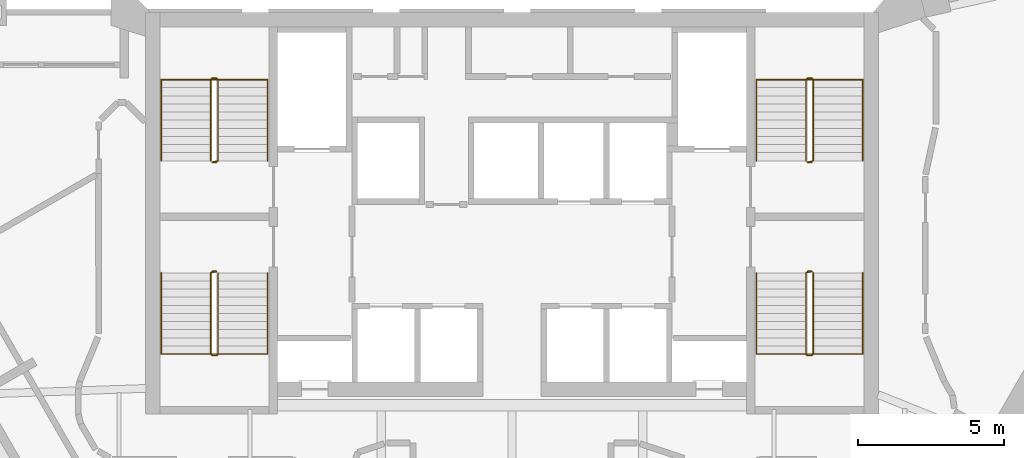
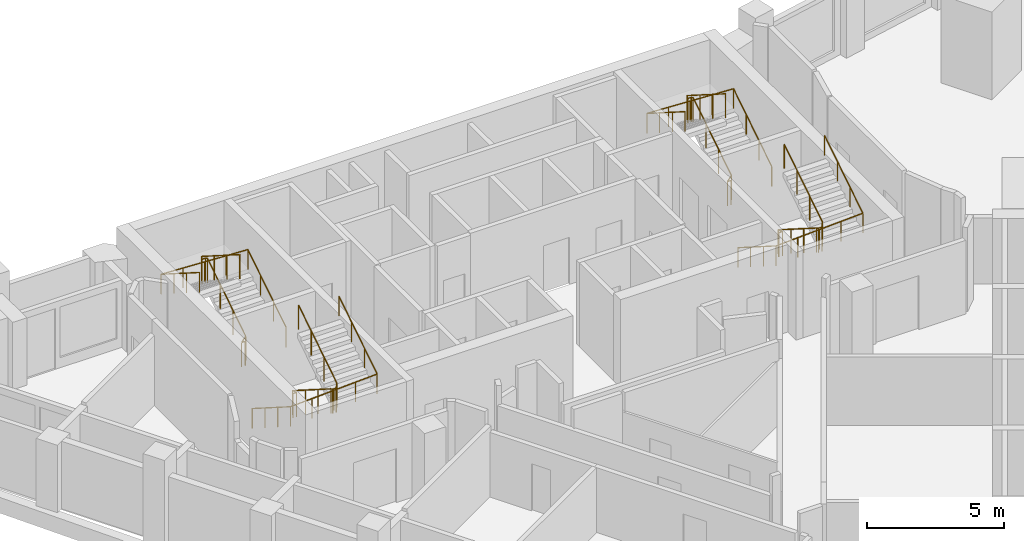
# One storey, part 8 of 8: 8 railings.
"""IFC4 building model written with IfcOpenShell, lengths in metres."""

from ifc_helpers import new_model, si_unit, direction, frame, origin, origin_2d, place, context, subcontext, project, spatial, circle, extrude, material, type_object, element, save


model = new_model("IFC4")

# Units and contexts
model_context = context("Model", 3, precision=1e-05, world=origin(), true_north=direction((0.0, 1.0)))
body_context = subcontext(model_context, "Body", "Model", "MODEL_VIEW")
ifc_project = project(units=[si_unit("LENGTHUNIT", "METRE"), si_unit("AREAUNIT", "SQUARE_METRE"), si_unit("VOLUMEUNIT", "CUBIC_METRE"), si_unit("PLANEANGLEUNIT", "RADIAN"), si_unit("MASSUNIT", "GRAM", prefix="KILO")], contexts=[model_context])

# Site, building, storey
site_placement = place(None, origin())
site = spatial("IfcSite", under=ifc_project, at=site_placement, CompositionType="ELEMENT")
building_placement = place(site_placement, origin())
building = spatial("IfcBuilding", under=site, at=building_placement, Name="Calabash Gate Tower", CompositionType="ELEMENT")
storey_placement = place(building_placement, frame((0.0, 0.0, 275.5)))
storey = spatial("IfcBuildingStorey", under=building, at=storey_placement, Name="L66", CompositionType="ELEMENT", Elevation=275.5)

# Railings
ifc_material_1 = material(Name="Black powder-coated steel balusters", Category="steel")
railing_type_1 = type_object("IfcRailingType", Name="Stair guard RL1100", PredefinedType="GUARDRAIL", material=ifc_material_1)
railing_1_placement = place(storey_placement, frame((-10.14990234375, 13.902587890625, 0.0)))
element("IfcRailing", 1, at=railing_1_placement, inside=storey, type_object=railing_type_1, Name="L66 ST1 stair guard 1", PredefinedType="GUARDRAIL", context=body_context, shape_type="SweptSolid", body=[
    extrude(circle(Radius=0.02392578125, at=origin_2d()), frame((0.0, 0.0, 1.076171875), z_axis=(-1.0, 0.0, 0.0), x_axis=(0.0, -1.0, 0.0)), (0.0, 0.0, 1.0), 0.150146484375),
    extrude(circle(Radius=0.02392578125, at=origin_2d()), frame((-0.150146484375, 0.0, 1.076171875), z_axis=(0.735524641326, 0.184105679453, 0.652003528208), x_axis=(-0.242814311512, 0.970072785993, 0.0)), (0.0, 0.0, 1.0), 0.271728515625),
    extrude(circle(Radius=0.02392578125, at=origin_2d()), frame((0.0498046875, 0.050048828125, 1.25341796875), z_axis=(0.0, 0.844041424197, 0.536277982245), x_axis=(-1.0, 0.0, 0.0)), (0.0, 0.0, 1.0), 3.3056640625),
    extrude(circle(Radius=0.02392578125, at=origin_2d()), frame((0.0498046875, 2.840087890625, 3.02587890625), z_axis=(-0.707106781187, 0.707106781187, 0.0), x_axis=(-0.707106781187, -0.707106781187, 0.0)), (0.0, 0.0, 1.0), 0.0703125),
    extrude(circle(Radius=0.02392578125, at=origin_2d()), frame((0.0, 2.889892578125, 3.02587890625), z_axis=(-1.0, 0.0, 0.0), x_axis=(0.0, -1.0, 0.0)), (0.0, 0.0, 1.0), 0.150146484375),
    extrude(circle(Radius=0.02392578125, at=origin_2d()), frame((-0.150146484375, 2.889892578125, 3.02587890625), z_axis=(-0.262321481514, -0.261041864531, 0.929001929653), x_axis=(0.705375805398, -0.708833529934, 0.0)), (0.0, 0.0, 1.0), 0.190673828125),
    extrude(circle(Radius=0.02392578125, at=origin_2d()), frame((-0.2001953125, 2.840087890625, 3.203125), z_axis=(0.0, -0.844041424197, 0.536277982245), x_axis=(1.0, 0.0, 0.0)), (0.0, 0.0, 1.0), 3.3056640625),
    extrude(circle(Radius=0.02099609375, at=origin_2d()), origin(), (0.0, 0.0, 1.0), 1.052001953125),
    extrude(circle(Radius=0.02099609375, at=origin_2d()), frame((-0.150146484375, 0.0, 0.0)), (0.0, 0.0, 1.0), 1.052001953125),
    extrude(circle(Radius=0.02099609375, at=origin_2d()), frame((0.0498046875, 0.050048828125, 0.17724609375)), (0.0, 0.0, 1.0), 1.052001953125),
    extrude(circle(Radius=0.02099609375, at=origin_2d()), frame((0.0498046875, 0.97998046875, 0.76806640625)), (0.0, 0.0, 1.0), 1.052001953125),
    extrude(circle(Radius=0.02099609375, at=origin_2d()), frame((0.0498046875, 1.91015625, 1.359130859375)), (0.0, 0.0, 1.0), 1.052001953125),
    extrude(circle(Radius=0.02099609375, at=origin_2d()), frame((0.0498046875, 2.840087890625, 1.949951171875)), (0.0, 0.0, 1.0), 1.052001953125),
    extrude(circle(Radius=0.02099609375, at=origin_2d()), frame((0.0, 2.889892578125, 1.949951171875)), (0.0, 0.0, 1.0), 1.052001953125),
    extrude(circle(Radius=0.02099609375, at=origin_2d()), frame((-0.150146484375, 2.889892578125, 1.949951171875)), (0.0, 0.0, 1.0), 1.052001953125),
    extrude(circle(Radius=0.02099609375, at=origin_2d()), frame((-0.2001953125, 2.840087890625, 2.127197265625)), (0.0, 0.0, 1.0), 1.052001953125),
    extrude(circle(Radius=0.02099609375, at=origin_2d()), frame((-0.2001953125, 1.91015625, 2.718017578125)), (0.0, 0.0, 1.0), 1.052001953125),
    extrude(circle(Radius=0.02099609375, at=origin_2d()), frame((-0.2001953125, 0.97998046875, 3.30908203125)), (0.0, 0.0, 1.0), 1.052001953125),
    extrude(circle(Radius=0.02099609375, at=origin_2d()), frame((-0.2001953125, 0.050048828125, 3.89990234375)), (0.0, 0.0, 1.0), 1.052001953125),
])
railing_2_placement = place(storey_placement, frame((-10.300048828125, 10.152587890625, 0.0)))
element("IfcRailing", 2, at=railing_2_placement, inside=storey, type_object=railing_type_1, Name="L66 ST2 stair guard 1", PredefinedType="GUARDRAIL", context=body_context, shape_type="SweptSolid", body=[
    extrude(circle(Radius=0.02392578125, at=origin_2d()), frame((0.0, 0.0, 1.076171875), z_axis=(1.0, 0.0, 0.0), x_axis=(0.0, 1.0, 0.0)), (0.0, 0.0, 1.0), 0.150146484375),
    extrude(circle(Radius=0.02392578125, at=origin_2d()), frame((0.150146484375, 0.0, 1.076171875), z_axis=(-0.735936453418, -0.183984113355, 0.651573006319), x_axis=(0.242535625036, -0.970142500145, 0.0)), (0.0, 0.0, 1.0), 0.27197265625),
    extrude(circle(Radius=0.02392578125, at=origin_2d()), frame((-0.050048828125, -0.050048828125, 1.25341796875), z_axis=(0.0, -0.844041424197, 0.536277982245), x_axis=(1.0, 0.0, 0.0)), (0.0, 0.0, 1.0), 3.3056640625),
    extrude(circle(Radius=0.02392578125, at=origin_2d()), frame((-0.050048828125, -2.840087890625, 3.02587890625), z_axis=(0.708833529934, -0.705375805398, 0.0), x_axis=(0.705375805398, 0.708833529934, 0.0)), (0.0, 0.0, 1.0), 0.070556640625),
    extrude(circle(Radius=0.02392578125, at=origin_2d()), frame((0.0, -2.889892578125, 3.02587890625), z_axis=(1.0, 0.0, 0.0), x_axis=(0.0, 1.0, 0.0)), (0.0, 0.0, 1.0), 0.150146484375),
    extrude(circle(Radius=0.02392578125, at=origin_2d()), frame((0.150146484375, -2.889892578125, 3.02587890625), z_axis=(0.261129318932, 0.261129318932, 0.929313164433), x_axis=(-0.707106781187, 0.707106781187, 0.0)), (0.0, 0.0, 1.0), 0.190673828125),
    extrude(circle(Radius=0.02392578125, at=origin_2d()), frame((0.199951171875, -2.840087890625, 3.203125), z_axis=(0.0, 0.844041424197, 0.536277982245), x_axis=(-1.0, 0.0, 0.0)), (0.0, 0.0, 1.0), 3.3056640625),
    extrude(circle(Radius=0.02099609375, at=origin_2d()), origin(), (0.0, 0.0, 1.0), 1.052001953125),
    extrude(circle(Radius=0.02099609375, at=origin_2d()), frame((0.150146484375, 0.0, 0.0)), (0.0, 0.0, 1.0), 1.052001953125),
    extrude(circle(Radius=0.02099609375, at=origin_2d()), frame((-0.050048828125, -0.050048828125, 0.17724609375)), (0.0, 0.0, 1.0), 1.052001953125),
    extrude(circle(Radius=0.02099609375, at=origin_2d()), frame((-0.050048828125, -0.97998046875, 0.76806640625)), (0.0, 0.0, 1.0), 1.052001953125),
    extrude(circle(Radius=0.02099609375, at=origin_2d()), frame((-0.050048828125, -1.91015625, 1.359130859375)), (0.0, 0.0, 1.0), 1.052001953125),
    extrude(circle(Radius=0.02099609375, at=origin_2d()), frame((-0.050048828125, -2.840087890625, 1.949951171875)), (0.0, 0.0, 1.0), 1.052001953125),
    extrude(circle(Radius=0.02099609375, at=origin_2d()), frame((0.0, -2.889892578125, 1.949951171875)), (0.0, 0.0, 1.0), 1.052001953125),
    extrude(circle(Radius=0.02099609375, at=origin_2d()), frame((0.150146484375, -2.889892578125, 1.949951171875)), (0.0, 0.0, 1.0), 1.052001953125),
    extrude(circle(Radius=0.02099609375, at=origin_2d()), frame((0.199951171875, -2.840087890625, 2.127197265625)), (0.0, 0.0, 1.0), 1.052001953125),
    extrude(circle(Radius=0.02099609375, at=origin_2d()), frame((0.199951171875, -1.91015625, 2.718017578125)), (0.0, 0.0, 1.0), 1.052001953125),
    extrude(circle(Radius=0.02099609375, at=origin_2d()), frame((0.199951171875, -0.97998046875, 3.30908203125)), (0.0, 0.0, 1.0), 1.052001953125),
    extrude(circle(Radius=0.02099609375, at=origin_2d()), frame((0.199951171875, -0.050048828125, 3.89990234375)), (0.0, 0.0, 1.0), 1.052001953125),
])
railing_3_placement = place(storey_placement, frame((10.300048828125, 13.902587890625, 0.0)))
element("IfcRailing", 3, at=railing_3_placement, inside=storey, type_object=railing_type_1, Name="L66 ST3 stair guard 1", PredefinedType="GUARDRAIL", context=body_context, shape_type="SweptSolid", body=[
    extrude(circle(Radius=0.02392578125, at=origin_2d()), frame((0.0, 0.0, 1.076171875), z_axis=(-1.0, 0.0, 0.0), x_axis=(0.0, -1.0, 0.0)), (0.0, 0.0, 1.0), 0.150146484375),
    extrude(circle(Radius=0.02392578125, at=origin_2d()), frame((-0.150146484375, 0.0, 1.076171875), z_axis=(0.735936453418, 0.183984113355, 0.651573006319), x_axis=(-0.242535625036, 0.970142500145, 0.0)), (0.0, 0.0, 1.0), 0.27197265625),
    extrude(circle(Radius=0.02392578125, at=origin_2d()), frame((0.050048828125, 0.050048828125, 1.25341796875), z_axis=(0.0, 0.844041424197, 0.536277982245), x_axis=(-1.0, 0.0, 0.0)), (0.0, 0.0, 1.0), 3.3056640625),
    extrude(circle(Radius=0.02392578125, at=origin_2d()), frame((0.050048828125, 2.840087890625, 3.02587890625), z_axis=(-0.708833529934, 0.705375805398, 0.0), x_axis=(-0.705375805398, -0.708833529934, 0.0)), (0.0, 0.0, 1.0), 0.070556640625),
    extrude(circle(Radius=0.02392578125, at=origin_2d()), frame((0.0, 2.889892578125, 3.02587890625), z_axis=(-1.0, 0.0, 0.0), x_axis=(0.0, -1.0, 0.0)), (0.0, 0.0, 1.0), 0.150146484375),
    extrude(circle(Radius=0.02392578125, at=origin_2d()), frame((-0.150146484375, 2.889892578125, 3.02587890625), z_axis=(-0.261129318932, -0.261129318932, 0.929313164433), x_axis=(0.707106781187, -0.707106781187, 0.0)), (0.0, 0.0, 1.0), 0.190673828125),
    extrude(circle(Radius=0.02392578125, at=origin_2d()), frame((-0.199951171875, 2.840087890625, 3.203125), z_axis=(0.0, -0.844041424197, 0.536277982245), x_axis=(1.0, 0.0, 0.0)), (0.0, 0.0, 1.0), 3.3056640625),
    extrude(circle(Radius=0.02099609375, at=origin_2d()), origin(), (0.0, 0.0, 1.0), 1.052001953125),
    extrude(circle(Radius=0.02099609375, at=origin_2d()), frame((-0.150146484375, 0.0, 0.0)), (0.0, 0.0, 1.0), 1.052001953125),
    extrude(circle(Radius=0.02099609375, at=origin_2d()), frame((0.050048828125, 0.050048828125, 0.17724609375)), (0.0, 0.0, 1.0), 1.052001953125),
    extrude(circle(Radius=0.02099609375, at=origin_2d()), frame((0.050048828125, 0.97998046875, 0.76806640625)), (0.0, 0.0, 1.0), 1.052001953125),
    extrude(circle(Radius=0.02099609375, at=origin_2d()), frame((0.050048828125, 1.91015625, 1.359130859375)), (0.0, 0.0, 1.0), 1.052001953125),
    extrude(circle(Radius=0.02099609375, at=origin_2d()), frame((0.050048828125, 2.840087890625, 1.949951171875)), (0.0, 0.0, 1.0), 1.052001953125),
    extrude(circle(Radius=0.02099609375, at=origin_2d()), frame((0.0, 2.889892578125, 1.949951171875)), (0.0, 0.0, 1.0), 1.052001953125),
    extrude(circle(Radius=0.02099609375, at=origin_2d()), frame((-0.150146484375, 2.889892578125, 1.949951171875)), (0.0, 0.0, 1.0), 1.052001953125),
    extrude(circle(Radius=0.02099609375, at=origin_2d()), frame((-0.199951171875, 2.840087890625, 2.127197265625)), (0.0, 0.0, 1.0), 1.052001953125),
    extrude(circle(Radius=0.02099609375, at=origin_2d()), frame((-0.199951171875, 1.91015625, 2.718017578125)), (0.0, 0.0, 1.0), 1.052001953125),
    extrude(circle(Radius=0.02099609375, at=origin_2d()), frame((-0.199951171875, 0.97998046875, 3.30908203125)), (0.0, 0.0, 1.0), 1.052001953125),
    extrude(circle(Radius=0.02099609375, at=origin_2d()), frame((-0.199951171875, 0.050048828125, 3.89990234375)), (0.0, 0.0, 1.0), 1.052001953125),
])
railing_4_placement = place(storey_placement, frame((10.14990234375, 10.152587890625, 0.0)))
element("IfcRailing", 4, at=railing_4_placement, inside=storey, type_object=railing_type_1, Name="L66 ST4 stair guard 1", PredefinedType="GUARDRAIL", context=body_context, shape_type="SweptSolid", body=[
    extrude(circle(Radius=0.02392578125, at=origin_2d()), frame((0.0, 0.0, 1.076171875), z_axis=(1.0, 0.0, 0.0), x_axis=(0.0, 1.0, 0.0)), (0.0, 0.0, 1.0), 0.150146484375),
    extrude(circle(Radius=0.02392578125, at=origin_2d()), frame((0.150146484375, 0.0, 1.076171875), z_axis=(-0.735524641326, -0.184105679453, 0.652003528208), x_axis=(0.242814311512, -0.970072785993, 0.0)), (0.0, 0.0, 1.0), 0.271728515625),
    extrude(circle(Radius=0.02392578125, at=origin_2d()), frame((-0.0498046875, -0.050048828125, 1.25341796875), z_axis=(0.0, -0.844041424197, 0.536277982245), x_axis=(1.0, 0.0, 0.0)), (0.0, 0.0, 1.0), 3.3056640625),
    extrude(circle(Radius=0.02392578125, at=origin_2d()), frame((-0.0498046875, -2.840087890625, 3.02587890625), z_axis=(0.707106781187, -0.707106781187, 0.0), x_axis=(0.707106781187, 0.707106781187, 0.0)), (0.0, 0.0, 1.0), 0.0703125),
    extrude(circle(Radius=0.02392578125, at=origin_2d()), frame((0.0, -2.889892578125, 3.02587890625), z_axis=(1.0, 0.0, 0.0), x_axis=(0.0, 1.0, 0.0)), (0.0, 0.0, 1.0), 0.150146484375),
    extrude(circle(Radius=0.02392578125, at=origin_2d()), frame((0.150146484375, -2.889892578125, 3.02587890625), z_axis=(0.262321481514, 0.261041864531, 0.929001929653), x_axis=(-0.705375805398, 0.708833529934, 0.0)), (0.0, 0.0, 1.0), 0.190673828125),
    extrude(circle(Radius=0.02392578125, at=origin_2d()), frame((0.2001953125, -2.840087890625, 3.203125), z_axis=(0.0, 0.844041424197, 0.536277982245), x_axis=(-1.0, 0.0, 0.0)), (0.0, 0.0, 1.0), 3.3056640625),
    extrude(circle(Radius=0.02099609375, at=origin_2d()), origin(), (0.0, 0.0, 1.0), 1.052001953125),
    extrude(circle(Radius=0.02099609375, at=origin_2d()), frame((0.150146484375, 0.0, 0.0)), (0.0, 0.0, 1.0), 1.052001953125),
    extrude(circle(Radius=0.02099609375, at=origin_2d()), frame((-0.0498046875, -0.050048828125, 0.17724609375)), (0.0, 0.0, 1.0), 1.052001953125),
    extrude(circle(Radius=0.02099609375, at=origin_2d()), frame((-0.0498046875, -0.97998046875, 0.76806640625)), (0.0, 0.0, 1.0), 1.052001953125),
    extrude(circle(Radius=0.02099609375, at=origin_2d()), frame((-0.0498046875, -1.91015625, 1.359130859375)), (0.0, 0.0, 1.0), 1.052001953125),
    extrude(circle(Radius=0.02099609375, at=origin_2d()), frame((-0.0498046875, -2.840087890625, 1.949951171875)), (0.0, 0.0, 1.0), 1.052001953125),
    extrude(circle(Radius=0.02099609375, at=origin_2d()), frame((0.0, -2.889892578125, 1.949951171875)), (0.0, 0.0, 1.0), 1.052001953125),
    extrude(circle(Radius=0.02099609375, at=origin_2d()), frame((0.150146484375, -2.889892578125, 1.949951171875)), (0.0, 0.0, 1.0), 1.052001953125),
    extrude(circle(Radius=0.02099609375, at=origin_2d()), frame((0.2001953125, -2.840087890625, 2.127197265625)), (0.0, 0.0, 1.0), 1.052001953125),
    extrude(circle(Radius=0.02099609375, at=origin_2d()), frame((0.2001953125, -1.91015625, 2.718017578125)), (0.0, 0.0, 1.0), 1.052001953125),
    extrude(circle(Radius=0.02099609375, at=origin_2d()), frame((0.2001953125, -0.97998046875, 3.30908203125)), (0.0, 0.0, 1.0), 1.052001953125),
    extrude(circle(Radius=0.02099609375, at=origin_2d()), frame((0.2001953125, -0.050048828125, 3.89990234375)), (0.0, 0.0, 1.0), 1.052001953125),
])
ifc_material_2 = material(Name="Black powder-coated steel tube 48 mm", Category="steel")
railing_type_2 = type_object("IfcRailingType", Name="Stair handrail RL900", PredefinedType="HANDRAIL", material=ifc_material_2)
railing_5_placement = place(storey_placement, frame((-8.39990234375, 13.95263671875, 0.17724609375)))
element("IfcRailing", 5, at=railing_5_placement, inside=storey, type_object=railing_type_2, Name="L66 ST1 stair handrail 1", PredefinedType="HANDRAIL", context=body_context, shape_type="SweptSolid", body=[
    extrude(circle(Radius=0.02392578125, at=origin_2d()), frame((0.0, 0.0, 0.8759765625), z_axis=(0.0, 0.844041424197, 0.536277982245), x_axis=(-1.0, 0.0, 0.0)), (0.0, 0.0, 1.0), 3.3056640625),
    extrude(circle(Radius=0.02392578125, at=origin_2d()), frame((0.0, 2.7900390625, 2.6484375), z_axis=(-0.998823110844, 0.0, 0.048501476722), x_axis=(0.0, -1.0, 0.0)), (0.0, 0.0, 1.0), 3.654541015625),
    extrude(circle(Radius=0.02392578125, at=origin_2d()), frame((-3.650146484375, 2.7900390625, 2.82568359375), z_axis=(0.0, -0.844041424197, 0.536277982245), x_axis=(1.0, 0.0, 0.0)), (0.0, 0.0, 1.0), 3.3056640625),
    extrude(circle(Radius=0.02099609375, at=origin_2d()), origin(), (0.0, 0.0, 1.0), 0.851806640625),
    extrude(circle(Radius=0.02099609375, at=origin_2d()), frame((0.0, 0.929931640625, 0.5908203125)), (0.0, 0.0, 1.0), 0.851806640625),
    extrude(circle(Radius=0.02099609375, at=origin_2d()), frame((0.0, 1.860107421875, 1.181884765625)), (0.0, 0.0, 1.0), 0.851806640625),
    extrude(circle(Radius=0.02099609375, at=origin_2d()), frame((0.0, 2.7900390625, 1.772705078125)), (0.0, 0.0, 1.0), 0.851806640625),
    extrude(circle(Radius=0.02099609375, at=origin_2d()), frame((-0.91259765625, 2.7900390625, 1.81689453125)), (0.0, 0.0, 1.0), 0.851806640625),
    extrude(circle(Radius=0.02099609375, at=origin_2d()), frame((-1.8251953125, 2.7900390625, 1.861328125)), (0.0, 0.0, 1.0), 0.851806640625),
    extrude(circle(Radius=0.02099609375, at=origin_2d()), frame((-2.737548828125, 2.7900390625, 1.90576171875)), (0.0, 0.0, 1.0), 0.851806640625),
    extrude(circle(Radius=0.02099609375, at=origin_2d()), frame((-3.650146484375, 2.7900390625, 1.949951171875)), (0.0, 0.0, 1.0), 0.851806640625),
    extrude(circle(Radius=0.02099609375, at=origin_2d()), frame((-3.650146484375, 1.860107421875, 2.540771484375)), (0.0, 0.0, 1.0), 0.851806640625),
    extrude(circle(Radius=0.02099609375, at=origin_2d()), frame((-3.650146484375, 0.929931640625, 3.1318359375)), (0.0, 0.0, 1.0), 0.851806640625),
    extrude(circle(Radius=0.02099609375, at=origin_2d()), frame((-3.650146484375, 0.0, 3.72265625)), (0.0, 0.0, 1.0), 0.851806640625),
])
railing_6_placement = place(storey_placement, frame((-12.050048828125, 10.1025390625, 0.17724609375)))
element("IfcRailing", 6, at=railing_6_placement, inside=storey, type_object=railing_type_2, Name="L66 ST2 stair handrail 1", PredefinedType="HANDRAIL", context=body_context, shape_type="SweptSolid", body=[
    extrude(circle(Radius=0.02392578125, at=origin_2d()), frame((0.0, 0.0, 0.8759765625), z_axis=(0.0, -0.844041424197, 0.536277982245), x_axis=(1.0, 0.0, 0.0)), (0.0, 0.0, 1.0), 3.3056640625),
    extrude(circle(Radius=0.02392578125, at=origin_2d()), frame((0.0, -2.7900390625, 2.6484375), z_axis=(0.998823110844, 0.0, 0.048501476722), x_axis=(0.0, 1.0, 0.0)), (0.0, 0.0, 1.0), 3.654541015625),
    extrude(circle(Radius=0.02392578125, at=origin_2d()), frame((3.650146484375, -2.7900390625, 2.82568359375), z_axis=(0.0, 0.844041424197, 0.536277982245), x_axis=(-1.0, 0.0, 0.0)), (0.0, 0.0, 1.0), 3.3056640625),
    extrude(circle(Radius=0.02099609375, at=origin_2d()), origin(), (0.0, 0.0, 1.0), 0.851806640625),
    extrude(circle(Radius=0.02099609375, at=origin_2d()), frame((0.0, -0.929931640625, 0.5908203125)), (0.0, 0.0, 1.0), 0.851806640625),
    extrude(circle(Radius=0.02099609375, at=origin_2d()), frame((0.0, -1.860107421875, 1.181884765625)), (0.0, 0.0, 1.0), 0.851806640625),
    extrude(circle(Radius=0.02099609375, at=origin_2d()), frame((0.0, -2.7900390625, 1.772705078125)), (0.0, 0.0, 1.0), 0.851806640625),
    extrude(circle(Radius=0.02099609375, at=origin_2d()), frame((0.91259765625, -2.7900390625, 1.81689453125)), (0.0, 0.0, 1.0), 0.851806640625),
    extrude(circle(Radius=0.02099609375, at=origin_2d()), frame((1.8251953125, -2.7900390625, 1.861328125)), (0.0, 0.0, 1.0), 0.851806640625),
    extrude(circle(Radius=0.02099609375, at=origin_2d()), frame((2.737548828125, -2.7900390625, 1.90576171875)), (0.0, 0.0, 1.0), 0.851806640625),
    extrude(circle(Radius=0.02099609375, at=origin_2d()), frame((3.650146484375, -2.7900390625, 1.949951171875)), (0.0, 0.0, 1.0), 0.851806640625),
    extrude(circle(Radius=0.02099609375, at=origin_2d()), frame((3.650146484375, -1.860107421875, 2.540771484375)), (0.0, 0.0, 1.0), 0.851806640625),
    extrude(circle(Radius=0.02099609375, at=origin_2d()), frame((3.650146484375, -0.929931640625, 3.1318359375)), (0.0, 0.0, 1.0), 0.851806640625),
    extrude(circle(Radius=0.02099609375, at=origin_2d()), frame((3.650146484375, 0.0, 3.72265625)), (0.0, 0.0, 1.0), 0.851806640625),
])
railing_7_placement = place(storey_placement, frame((12.050048828125, 13.95263671875, 0.17724609375)))
element("IfcRailing", 7, at=railing_7_placement, inside=storey, type_object=railing_type_2, Name="L66 ST3 stair handrail 1", PredefinedType="HANDRAIL", context=body_context, shape_type="SweptSolid", body=[
    extrude(circle(Radius=0.02392578125, at=origin_2d()), frame((0.0, 0.0, 0.8759765625), z_axis=(0.0, 0.844041424197, 0.536277982245), x_axis=(-1.0, 0.0, 0.0)), (0.0, 0.0, 1.0), 3.3056640625),
    extrude(circle(Radius=0.02392578125, at=origin_2d()), frame((0.0, 2.7900390625, 2.6484375), z_axis=(-0.998823110844, 0.0, 0.048501476722), x_axis=(0.0, -1.0, 0.0)), (0.0, 0.0, 1.0), 3.654541015625),
    extrude(circle(Radius=0.02392578125, at=origin_2d()), frame((-3.650146484375, 2.7900390625, 2.82568359375), z_axis=(0.0, -0.844041424197, 0.536277982245), x_axis=(1.0, 0.0, 0.0)), (0.0, 0.0, 1.0), 3.3056640625),
    extrude(circle(Radius=0.02099609375, at=origin_2d()), origin(), (0.0, 0.0, 1.0), 0.851806640625),
    extrude(circle(Radius=0.02099609375, at=origin_2d()), frame((0.0, 0.929931640625, 0.5908203125)), (0.0, 0.0, 1.0), 0.851806640625),
    extrude(circle(Radius=0.02099609375, at=origin_2d()), frame((0.0, 1.860107421875, 1.181884765625)), (0.0, 0.0, 1.0), 0.851806640625),
    extrude(circle(Radius=0.02099609375, at=origin_2d()), frame((0.0, 2.7900390625, 1.772705078125)), (0.0, 0.0, 1.0), 0.851806640625),
    extrude(circle(Radius=0.02099609375, at=origin_2d()), frame((-0.91259765625, 2.7900390625, 1.81689453125)), (0.0, 0.0, 1.0), 0.851806640625),
    extrude(circle(Radius=0.02099609375, at=origin_2d()), frame((-1.8251953125, 2.7900390625, 1.861328125)), (0.0, 0.0, 1.0), 0.851806640625),
    extrude(circle(Radius=0.02099609375, at=origin_2d()), frame((-2.737548828125, 2.7900390625, 1.90576171875)), (0.0, 0.0, 1.0), 0.851806640625),
    extrude(circle(Radius=0.02099609375, at=origin_2d()), frame((-3.650146484375, 2.7900390625, 1.949951171875)), (0.0, 0.0, 1.0), 0.851806640625),
    extrude(circle(Radius=0.02099609375, at=origin_2d()), frame((-3.650146484375, 1.860107421875, 2.540771484375)), (0.0, 0.0, 1.0), 0.851806640625),
    extrude(circle(Radius=0.02099609375, at=origin_2d()), frame((-3.650146484375, 0.929931640625, 3.1318359375)), (0.0, 0.0, 1.0), 0.851806640625),
    extrude(circle(Radius=0.02099609375, at=origin_2d()), frame((-3.650146484375, 0.0, 3.72265625)), (0.0, 0.0, 1.0), 0.851806640625),
])
railing_8_placement = place(storey_placement, frame((8.39990234375, 10.1025390625, 0.17724609375)))
element("IfcRailing", 8, at=railing_8_placement, inside=storey, type_object=railing_type_2, Name="L66 ST4 stair handrail 1", PredefinedType="HANDRAIL", context=body_context, shape_type="SweptSolid", body=[
    extrude(circle(Radius=0.02392578125, at=origin_2d()), frame((0.0, 0.0, 0.8759765625), z_axis=(0.0, -0.844041424197, 0.536277982245), x_axis=(1.0, 0.0, 0.0)), (0.0, 0.0, 1.0), 3.3056640625),
    extrude(circle(Radius=0.02392578125, at=origin_2d()), frame((0.0, -2.7900390625, 2.6484375), z_axis=(0.998823110844, 0.0, 0.048501476722), x_axis=(0.0, 1.0, 0.0)), (0.0, 0.0, 1.0), 3.654541015625),
    extrude(circle(Radius=0.02392578125, at=origin_2d()), frame((3.650146484375, -2.7900390625, 2.82568359375), z_axis=(0.0, 0.844041424197, 0.536277982245), x_axis=(-1.0, 0.0, 0.0)), (0.0, 0.0, 1.0), 3.3056640625),
    extrude(circle(Radius=0.02099609375, at=origin_2d()), origin(), (0.0, 0.0, 1.0), 0.851806640625),
    extrude(circle(Radius=0.02099609375, at=origin_2d()), frame((0.0, -0.929931640625, 0.5908203125)), (0.0, 0.0, 1.0), 0.851806640625),
    extrude(circle(Radius=0.02099609375, at=origin_2d()), frame((0.0, -1.860107421875, 1.181884765625)), (0.0, 0.0, 1.0), 0.851806640625),
    extrude(circle(Radius=0.02099609375, at=origin_2d()), frame((0.0, -2.7900390625, 1.772705078125)), (0.0, 0.0, 1.0), 0.851806640625),
    extrude(circle(Radius=0.02099609375, at=origin_2d()), frame((0.91259765625, -2.7900390625, 1.81689453125)), (0.0, 0.0, 1.0), 0.851806640625),
    extrude(circle(Radius=0.02099609375, at=origin_2d()), frame((1.8251953125, -2.7900390625, 1.861328125)), (0.0, 0.0, 1.0), 0.851806640625),
    extrude(circle(Radius=0.02099609375, at=origin_2d()), frame((2.737548828125, -2.7900390625, 1.90576171875)), (0.0, 0.0, 1.0), 0.851806640625),
    extrude(circle(Radius=0.02099609375, at=origin_2d()), frame((3.650146484375, -2.7900390625, 1.949951171875)), (0.0, 0.0, 1.0), 0.851806640625),
    extrude(circle(Radius=0.02099609375, at=origin_2d()), frame((3.650146484375, -1.860107421875, 2.540771484375)), (0.0, 0.0, 1.0), 0.851806640625),
    extrude(circle(Radius=0.02099609375, at=origin_2d()), frame((3.650146484375, -0.929931640625, 3.1318359375)), (0.0, 0.0, 1.0), 0.851806640625),
    extrude(circle(Radius=0.02099609375, at=origin_2d()), frame((3.650146484375, 0.0, 3.72265625)), (0.0, 0.0, 1.0), 0.851806640625),
])

save(model, "model.ifc")
